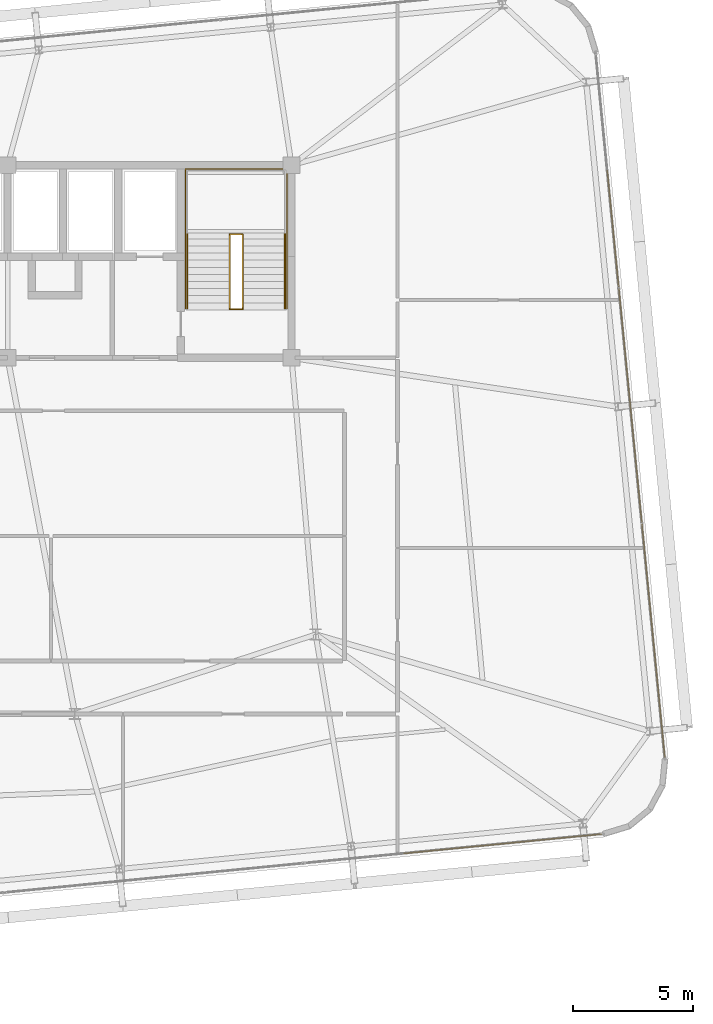
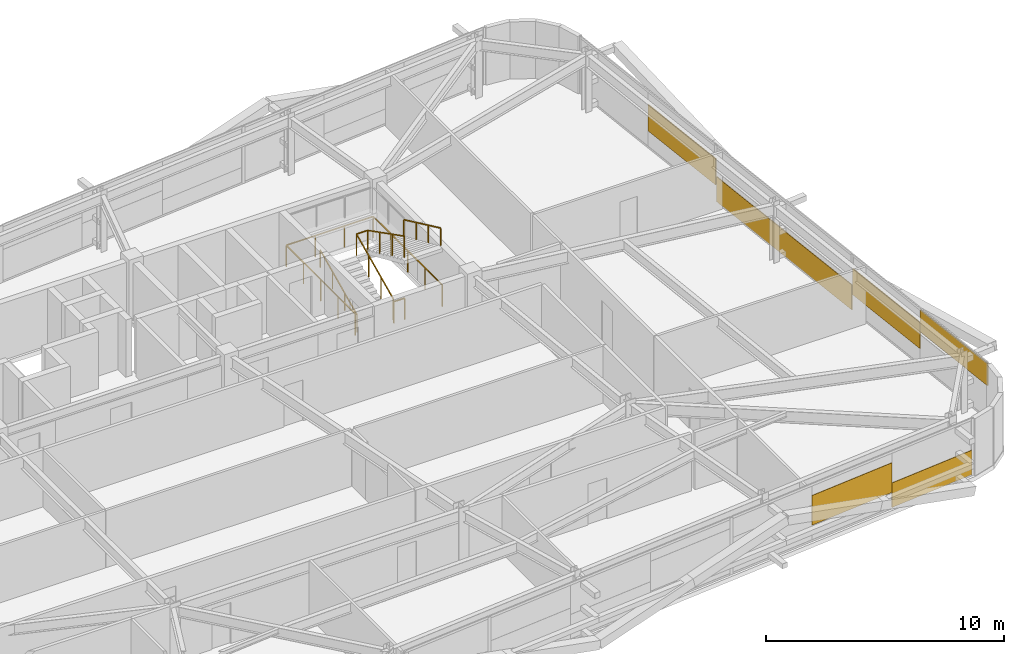
# One storey, part 46 of 47: 6 coverings, 5 railings.
"""IFC4 building model written with IfcOpenShell, lengths in metres."""

from ifc_helpers import new_model, si_unit, direction, frame, origin, origin_2d, place, context, subcontext, project, spatial, rectangle, extrude, source, transform, mapped, material, layer, layer_set, type_object, element, save


model = new_model("IFC4")

# Units and contexts
model_context = context("Model", 3, precision=1e-05, world=origin(), true_north=direction((0.0, 1.0)))
body_context = subcontext(model_context, "Body", "Model", "MODEL_VIEW")
ifc_project = project(units=[si_unit("LENGTHUNIT", "METRE"), si_unit("AREAUNIT", "SQUARE_METRE"), si_unit("VOLUMEUNIT", "CUBIC_METRE"), si_unit("PLANEANGLEUNIT", "RADIAN"), si_unit("MASSUNIT", "GRAM", prefix="KILO")], contexts=[model_context])

# Site, building, storey
site_placement = place(None, origin())
site = spatial("IfcSite", under=ifc_project, at=site_placement, CompositionType="ELEMENT")
building_placement = place(site_placement, origin())
building = spatial("IfcBuilding", under=site, at=building_placement, Name="Taldren Reach Tower", CompositionType="ELEMENT")
storey_placement = place(building_placement, frame((0.0, 0.0, 90.300048828125)))
storey = spatial("IfcBuildingStorey", under=building, at=storey_placement, Name="L27", CompositionType="ELEMENT", Elevation=90.300048828125)

# Railings
ifc_material_1 = material(Name="Steel Gr 350 (C350L0)", Category="steel")
ifc_layer_1 = layer(ifc_material_1, 0.050048828125)
ifc_layer_set_1 = layer_set([ifc_layer_1], Name="Steel Gr 350 (C350L0)")
railing_type_1 = type_object("IfcRailingType", Name="RL-STAIR-GR", PredefinedType="GUARDRAIL", material=ifc_layer_set_1)
railing_1_placement = place(storey_placement, frame((48.429931640625, 26.050048828125, 0.131103515625)))
element("IfcRailing", 1, at=railing_1_placement, inside=storey, type_object=railing_type_1, Name="Stairwell inner guard ST2-L27", PredefinedType="GUARDRAIL", context=body_context, shape_type="SweptSolid", body=[
    extrude(rectangle(XDim=0.047852, YDim=0.047852, at=origin_2d()), frame((0.0, 0.0, 1.09619140625), z_axis=(0.0, 0.905710134349, 0.423897573167), x_axis=(-1.0, 0.0, 0.0)), (0.0, 0.0, 1.0), 3.406005859375),
    extrude(rectangle(XDim=0.047852, YDim=0.047852, at=origin_2d()), frame((0.0, 3.0849609375, 2.5400390625), z_axis=(1.0, 0.0, 0.0), x_axis=(0.0, 1.0, 0.0)), (0.0, 0.0, 1.0), 0.5400390625),
    extrude(rectangle(XDim=0.047852, YDim=0.047852, at=origin_2d()), frame((0.5400390625, 3.0849609375, 2.5400390625), z_axis=(0.0, -0.890645957773, 0.45469745755), x_axis=(1.0, 0.0, 0.0)), (0.0, 0.0, 1.0), 3.463623046875),
    extrude(rectangle(XDim=0.041992, YDim=0.041992, at=origin_2d()), origin(), (0.0, 0.0, 1.0), 1.072021484375),
    extrude(rectangle(XDim=0.041992, YDim=0.041992, at=origin_2d()), frame((0.0, 1.0283203125, 0.481201171875)), (0.0, 0.0, 1.0), 1.072021484375),
    extrude(rectangle(XDim=0.041992, YDim=0.041992, at=origin_2d()), frame((0.0, 2.056640625, 0.962646484375)), (0.0, 0.0, 1.0), 1.072021484375),
    extrude(rectangle(XDim=0.041992, YDim=0.041992, at=origin_2d()), frame((0.0, 3.0849609375, 1.44384765625)), (0.0, 0.0, 1.0), 1.072021484375),
    extrude(rectangle(XDim=0.041992, YDim=0.041992, at=origin_2d()), frame((0.5400390625, 3.0849609375, 1.44384765625)), (0.0, 0.0, 1.0), 1.072021484375),
    extrude(rectangle(XDim=0.041992, YDim=0.041992, at=origin_2d()), frame((0.5400390625, 2.056640625, 1.96875)), (0.0, 0.0, 1.0), 1.072021484375),
    extrude(rectangle(XDim=0.041992, YDim=0.041992, at=origin_2d()), frame((0.5400390625, 1.0283203125, 2.493896484375)), (0.0, 0.0, 1.0), 1.072021484375),
    extrude(rectangle(XDim=0.041992, YDim=0.041992, at=origin_2d()), frame((0.5400390625, 0.0, 3.018798828125)), (0.0, 0.0, 1.0), 1.072021484375),
])
railing_2_placement = place(storey_placement, frame((48.429931640625, 26.010009765625, 0.0)))
element("IfcRailing", 2, at=railing_2_placement, inside=storey, type_object=railing_type_1, Name="Stairwell landing slot guard ST2-L27", PredefinedType="GUARDRAIL", context=body_context, shape_type="SweptSolid", body=[
    extrude(rectangle(XDim=0.047852, YDim=0.047852, at=origin_2d()), frame((0.0, 0.0, 1.09619140625), z_axis=(1.0, 0.0, 0.0), x_axis=(0.0, 1.0, 0.0)), (0.0, 0.0, 1.0), 0.5400390625),
    extrude(rectangle(XDim=0.041992, YDim=0.041992, at=origin_2d()), origin(), (0.0, 0.0, 1.0), 1.072021484375),
    extrude(rectangle(XDim=0.041992, YDim=0.041992, at=origin_2d()), frame((0.5400390625, 0.0, 0.0)), (0.0, 0.0, 1.0), 1.072021484375),
])
railing_3_placement = place(storey_placement, frame((46.590087890625, 26.050048828125, 0.0)))
element("IfcRailing", 3, at=railing_3_placement, inside=storey, type_object=railing_type_1, Name="Stairwell floor opening guard ST2-L27", PredefinedType="GUARDRAIL", context=body_context, shape_type="SweptSolid", body=[
    extrude(rectangle(XDim=0.047852, YDim=0.047852, at=origin_2d()), frame((0.0, 0.0, 1.09619140625), z_axis=(0.0, 1.0, 0.0), x_axis=(-1.0, 0.0, 0.0)), (0.0, 0.0, 1.0), 5.800048828125),
    extrude(rectangle(XDim=0.047852, YDim=0.047852, at=origin_2d()), frame((0.0, 5.800048828125, 1.09619140625), z_axis=(1.0, 0.0, 0.0), x_axis=(0.0, 1.0, 0.0)), (0.0, 0.0, 1.0), 4.219970703125),
    extrude(rectangle(XDim=0.047852, YDim=0.047852, at=origin_2d()), frame((4.219970703125, 5.800048828125, 1.09619140625), z_axis=(0.0, -1.0, 0.0), x_axis=(1.0, 0.0, 0.0)), (0.0, 0.0, 1.0), 5.800048828125),
    extrude(rectangle(XDim=0.041992, YDim=0.041992, at=origin_2d()), origin(), (0.0, 0.0, 1.0), 1.072021484375),
    extrude(rectangle(XDim=0.041992, YDim=0.041992, at=origin_2d()), frame((0.0, 1.449951171875, 0.0)), (0.0, 0.0, 1.0), 1.072021484375),
    extrude(rectangle(XDim=0.041992, YDim=0.041992, at=origin_2d()), frame((0.0, 2.89990234375, 0.0)), (0.0, 0.0, 1.0), 1.072021484375),
    extrude(rectangle(XDim=0.041992, YDim=0.041992, at=origin_2d()), frame((0.0, 4.35009765625, 0.0)), (0.0, 0.0, 1.0), 1.072021484375),
    extrude(rectangle(XDim=0.041992, YDim=0.041992, at=origin_2d()), frame((0.0, 5.800048828125, 0.0)), (0.0, 0.0, 1.0), 1.072021484375),
    extrude(rectangle(XDim=0.041992, YDim=0.041992, at=origin_2d()), frame((1.40673828125, 5.800048828125, 0.0)), (0.0, 0.0, 1.0), 1.072021484375),
    extrude(rectangle(XDim=0.041992, YDim=0.041992, at=origin_2d()), frame((2.813232421875, 5.800048828125, 0.0)), (0.0, 0.0, 1.0), 1.072021484375),
    extrude(rectangle(XDim=0.041992, YDim=0.041992, at=origin_2d()), frame((4.219970703125, 5.800048828125, 0.0)), (0.0, 0.0, 1.0), 1.072021484375),
    extrude(rectangle(XDim=0.041992, YDim=0.041992, at=origin_2d()), frame((4.219970703125, 4.35009765625, 0.0)), (0.0, 0.0, 1.0), 1.072021484375),
    extrude(rectangle(XDim=0.041992, YDim=0.041992, at=origin_2d()), frame((4.219970703125, 2.89990234375, 0.0)), (0.0, 0.0, 1.0), 1.072021484375),
    extrude(rectangle(XDim=0.041992, YDim=0.041992, at=origin_2d()), frame((4.219970703125, 1.449951171875, 0.0)), (0.0, 0.0, 1.0), 1.072021484375),
    extrude(rectangle(XDim=0.041992, YDim=0.041992, at=origin_2d()), frame((4.219970703125, 0.0, 0.0)), (0.0, 0.0, 1.0), 1.072021484375),
])
ifc_material_2 = material(Name="Stainless Steel Gr 316", Category="steel")
ifc_layer_2 = layer(ifc_material_2, 0.048095703125)
ifc_layer_set_2 = layer_set([ifc_layer_2], Name="Stainless Steel Gr 316")
railing_type_2 = type_object("IfcRailingType", Name="RL-STAIR-HR", PredefinedType="HANDRAIL", material=ifc_layer_set_2)
railing_4_placement = place(storey_placement, frame((46.669921875, 26.050048828125, 0.131103515625)))
element("IfcRailing", 4, at=railing_4_placement, inside=storey, type_object=railing_type_2, Name="Stair flight handrail ST2-L27-1", PredefinedType="HANDRAIL", context=body_context, shape_type="SweptSolid", body=[
    extrude(rectangle(XDim=0.047852, YDim=0.047852, at=origin_2d()), frame((0.0, 0.0, 0.89599609375), z_axis=(0.0, 0.905710134349, 0.423897573167), x_axis=(-1.0, 0.0, 0.0)), (0.0, 0.0, 1.0), 3.406005859375),
    extrude(rectangle(XDim=0.041992, YDim=0.041992, at=origin_2d()), origin(), (0.0, 0.0, 1.0), 0.871826171875),
    extrude(rectangle(XDim=0.041992, YDim=0.041992, at=origin_2d()), frame((0.0, 1.0283203125, 0.481201171875)), (0.0, 0.0, 1.0), 0.871826171875),
    extrude(rectangle(XDim=0.041992, YDim=0.041992, at=origin_2d()), frame((0.0, 2.056640625, 0.962646484375)), (0.0, 0.0, 1.0), 0.871826171875),
    extrude(rectangle(XDim=0.041992, YDim=0.041992, at=origin_2d()), frame((0.0, 3.0849609375, 1.44384765625)), (0.0, 0.0, 1.0), 0.871826171875),
])
railing_5_placement = place(storey_placement, frame((50.72998046875, 29.135009765625, 1.7060546875)))
element("IfcRailing", 5, at=railing_5_placement, inside=storey, type_object=railing_type_2, Name="Stair flight handrail ST2-L27-2", PredefinedType="HANDRAIL", context=body_context, shape_type="SweptSolid", body=[
    extrude(rectangle(XDim=0.047852, YDim=0.047852, at=origin_2d()), frame((0.0, 0.0, 0.89599609375), z_axis=(0.0, -0.905710134349, 0.423897573167), x_axis=(1.0, 0.0, 0.0)), (0.0, 0.0, 1.0), 3.406005859375),
    extrude(rectangle(XDim=0.041992, YDim=0.041992, at=origin_2d()), origin(), (0.0, 0.0, 1.0), 0.871826171875),
    extrude(rectangle(XDim=0.041992, YDim=0.041992, at=origin_2d()), frame((0.0, -1.0283203125, 0.481201171875)), (0.0, 0.0, 1.0), 0.871826171875),
    extrude(rectangle(XDim=0.041992, YDim=0.041992, at=origin_2d()), frame((0.0, -2.056640625, 0.962646484375)), (0.0, 0.0, 1.0), 0.871826171875),
    extrude(rectangle(XDim=0.041992, YDim=0.041992, at=origin_2d()), frame((0.0, -3.0849609375, 1.44384765625)), (0.0, 0.0, 1.0), 0.871826171875),
])

# Coverings
ifc_material_3 = material(Name="Pale Champagne Fluoropolymer Aluminium Spandrel Cladding", Category="aluminium")
ifc_layer_3 = layer(ifc_material_3, 0.0439453125)
ifc_layer_set_3 = layer_set([ifc_layer_3], Name="Pale Champagne Fluoropolymer Aluminium Spandrel Cladding")
covering_type = type_object("IfcCoveringType", Name="CV-CLAD-044", PredefinedType="CLADDING", material=ifc_layer_set_3)
shared_shape_1 = source(origin(), body_context, "Body", "SweptSolid", [
    extrude(rectangle(XDim=4.13427734375, YDim=0.0439453125, at=origin_2d()), origin(), (0.0, 0.0, 1.0), 1.260498046875),
])
covering_1_placement = place(storey_placement, frame((61.8271484375, 4.005615234375, 0.0546875), z_axis=(0.0, 0.0, 1.0), x_axis=(0.995227390247, 0.097582999046, 0.0)))
element("IfcCovering", 6, at=covering_1_placement, inside=storey, type_object=covering_type, Name="Diagrid closure cladding strip CW-3 panel 4.1 3", PredefinedType="CLADDING", context=body_context, shape_type="MappedRepresentation", body=[
    mapped(shared_shape_1, transform((0.0, 0.0, 0.0), scale=1.0)),
])
shared_shape_2 = source(origin(), body_context, "Body", "SweptSolid", [
    extrude(rectangle(XDim=4.13427734375, YDim=0.0439453125, at=origin_2d()), origin(), (0.0, 0.0, 1.0), 1.52197265625),
])
covering_2_placement = place(storey_placement, frame((57.712890625, 3.60205078125, 0.8310546875), z_axis=(0.0, 0.0, 1.0), x_axis=(0.995227390247, 0.097582999046, 0.0)))
element("IfcCovering", 7, at=covering_2_placement, inside=storey, type_object=covering_type, Name="Diagrid closure cladding strip CW-3 panel 4.1 2", PredefinedType="CLADDING", context=body_context, shape_type="MappedRepresentation", body=[
    mapped(shared_shape_2, transform((0.0, 0.0, 0.0), scale=1.0)),
])
shared_shape_3 = source(origin(), body_context, "Body", "SweptSolid", [
    extrude(rectangle(XDim=4.867919921875, YDim=0.0439453125, at=origin_2d()), origin(), (0.0, 0.0, 1.0), 1.350341796875),
])
for number, where, z_axis, x_axis, name in (
    (8, (65.797607421875, 14.670654296875, 0.86865234375), (0.0, 0.0, 1.0), (-0.09758274098, 0.99522741555, 0.0), "Diagrid closure cladding strip CW-3 panel 1.1 2"),
    (9, (64.356689453125, 29.366455078125, 0.86865234375), (0.0, 0.0, 1.0), (-0.09758274098, 0.99522741555, 0.0), "Diagrid closure cladding strip CW-3 panel 3.1 1"),
):
    element("IfcCovering", number, at=place(storey_placement, frame(where, z_axis=z_axis, x_axis=x_axis)), inside=storey, type_object=covering_type, Name=name, PredefinedType="CLADDING", context=body_context, shape_type="MappedRepresentation", body=[
        mapped(shared_shape_3, transform((0.0, 0.0, 0.0), scale=1.0)),
    ])
shared_shape_4 = source(origin(), body_context, "Body", "SweptSolid", [
    extrude(rectangle(XDim=4.867919921875, YDim=0.0439453125, at=origin_2d()), origin(), (0.0, 0.0, 1.0), 1.133056640625),
])
covering_3_placement = place(storey_placement, frame((66.2724609375, 9.826171875, 1.74169921875), z_axis=(0.0, 0.0, 1.0), x_axis=(-0.09758274098, 0.99522741555, 0.0)))
element("IfcCovering", 10, at=covering_3_placement, inside=storey, type_object=covering_type, Name="Diagrid closure cladding strip CW-3 panel 1.1 1", PredefinedType="CLADDING", context=body_context, shape_type="MappedRepresentation", body=[
    mapped(shared_shape_4, transform((0.0, 0.0, 0.0), scale=1.0)),
])
shared_shape_5 = source(origin(), body_context, "Body", "SweptSolid", [
    extrude(rectangle(XDim=9.768310546875, YDim=0.0439453125, at=origin_2d()), origin(), (0.0, 0.0, 1.0), 1.279541015625),
])
covering_4_placement = place(storey_placement, frame((65.0771484375, 22.0185546875, 0.05517578125), z_axis=(0.0, 0.0, 1.0), x_axis=(-0.09758274098, 0.99522741555, 0.0)))
element("IfcCovering", 11, at=covering_4_placement, inside=storey, type_object=covering_type, Name="Diagrid closure cladding strip CW-3 panel 2.1 1", PredefinedType="CLADDING", context=body_context, shape_type="MappedRepresentation", body=[
    mapped(shared_shape_5, transform((0.0, 0.0, 0.0), scale=1.0)),
])

save(model, "model.ifc")
